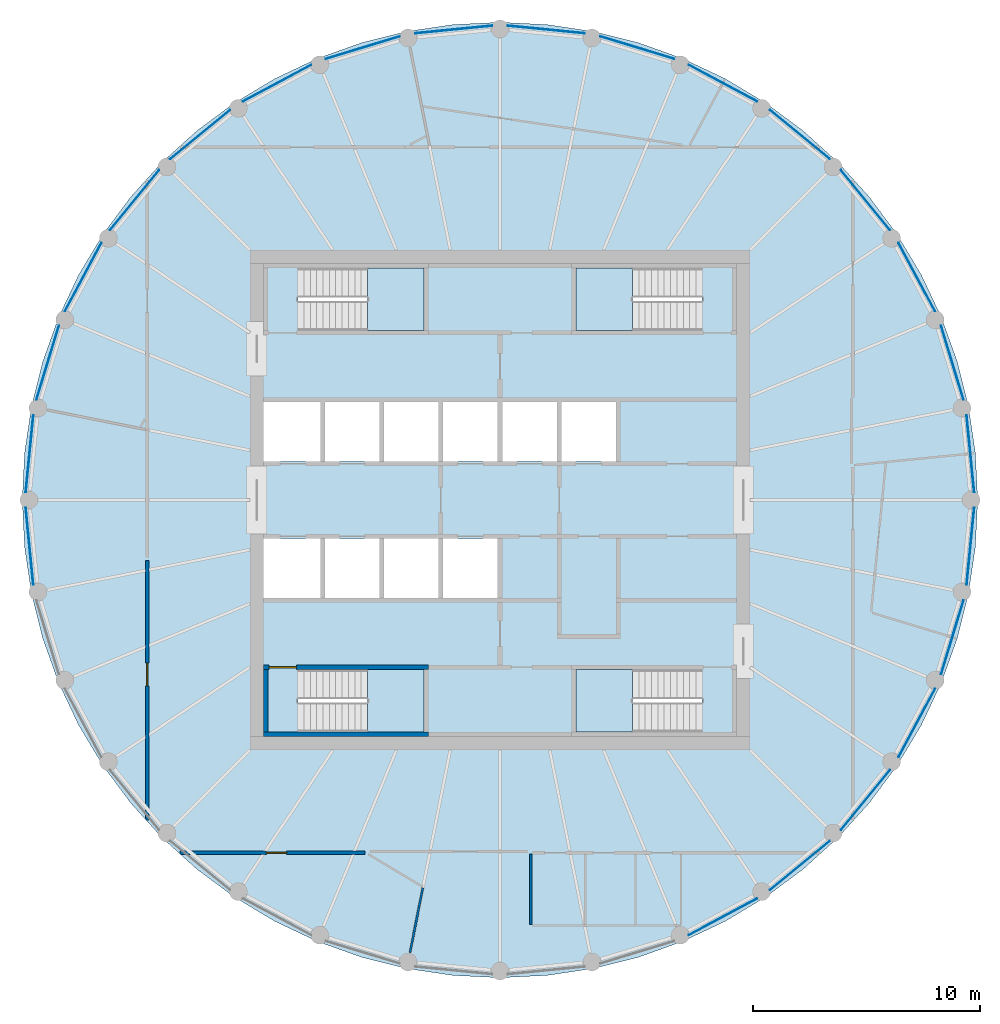
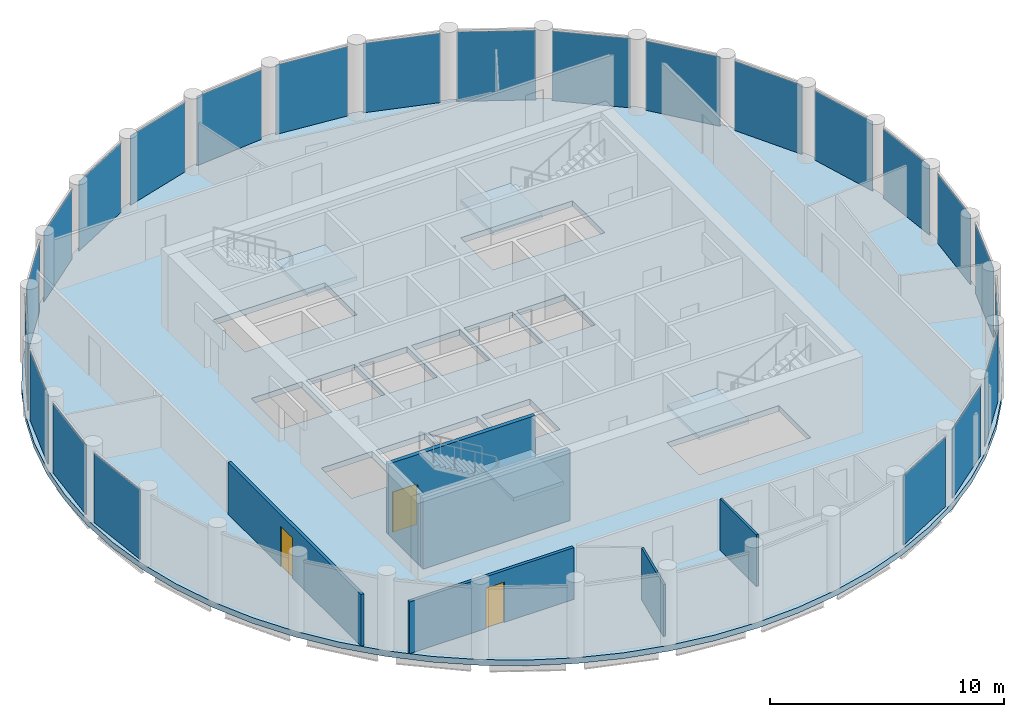
# One storey, part 3 of 7: 23 plates, 7 walls, 5 slabs, 3 doors, 3 openings, 27 elements without a shape of their own.
"""IFC4 building model written with IfcOpenShell, lengths in metres."""

from ifc_helpers import new_model, si_unit, direction, frame, frame_2d, origin, origin_2d, place, context, subcontext, project, spatial, polyline, rectangle, outline, extrude, material, layer, layer_set, type_object, element, fill, aggregate, save


model = new_model("IFC4")

# Units and contexts
model_context = context("Model", 3, precision=1e-05, world=origin(), true_north=direction((0.0, 1.0)))
body_context = subcontext(model_context, "Body", "Model", "MODEL_VIEW")
ifc_project = project(units=[si_unit("LENGTHUNIT", "METRE"), si_unit("AREAUNIT", "SQUARE_METRE"), si_unit("VOLUMEUNIT", "CUBIC_METRE"), si_unit("PLANEANGLEUNIT", "RADIAN"), si_unit("MASSUNIT", "GRAM", prefix="KILO")], contexts=[model_context])

# Site, building, storey
site_placement = place(None, origin())
site = spatial("IfcSite", under=ifc_project, at=site_placement, CompositionType="ELEMENT")
building_placement = place(site_placement, origin())
building = spatial("IfcBuilding", under=site, at=building_placement, Name="Corvane Civic Tower", CompositionType="ELEMENT")
storey_placement = place(building_placement, frame((0.0, 0.0, 332.5)))
storey = spatial("IfcBuildingStorey", under=building, at=storey_placement, Name="L79", CompositionType="ELEMENT", Elevation=332.5)

# Slab
ifc_material_1 = material(Name="Concrete C40/50", Category="concrete")
ifc_layer_1 = layer(ifc_material_1, 0.300048828125)
ifc_layer_set_1 = layer_set([ifc_layer_1], Name="Concrete C40/50")
slab_type_1 = type_object("IfcSlabType", Name="FLOOR SLAB 300", PredefinedType="FLOOR", material=ifc_layer_set_1)
slab_1_placement = place(storey_placement, frame((0.0, 0.0, -0.300048828125)))
element("IfcSlab", 1, at=slab_1_placement, inside=storey, type_object=slab_type_1, Name="SLB-L79", PredefinedType="FLOOR", context=body_context, shape_type="SweptSolid", body=[
    extrude(outline(polyline([(0.0, 21.0), (-2.058349609375, 20.89892578125), (-4.096923828125, 20.596435546875), (-6.095947265625, 20.095703125), (-8.036376953125, 19.4013671875), (-9.8994140625, 18.520263671875), (-11.6669921875, 17.4609375), (-13.322265625, 16.233154296875), (-14.84912109375, 14.84912109375), (-16.233154296875, 13.322265625), (-17.4609375, 11.6669921875), (-18.520263671875, 9.8994140625), (-19.4013671875, 8.036376953125), (-20.095703125, 6.095947265625), (-20.596435546875, 4.096923828125), (-20.89892578125, 2.058349609375), (-21.0, 0.0), (-20.89892578125, -2.058349609375), (-20.596435546875, -4.096923828125), (-20.095703125, -6.095947265625), (-19.4013671875, -8.036376953125), (-18.520263671875, -9.8994140625), (-17.4609375, -11.6669921875), (-16.233154296875, -13.322265625), (-14.84912109375, -14.84912109375), (-13.322265625, -16.233154296875), (-11.6669921875, -17.4609375), (-9.8994140625, -18.520263671875), (-8.036376953125, -19.4013671875), (-6.095947265625, -20.095703125), (-4.096923828125, -20.596435546875), (-2.058349609375, -20.89892578125), (0.0, -21.0), (2.058349609375, -20.89892578125), (4.096923828125, -20.596435546875), (6.095947265625, -20.095703125), (8.036376953125, -19.4013671875), (9.8994140625, -18.520263671875), (11.6669921875, -17.4609375), (13.322265625, -16.233154296875), (14.84912109375, -14.84912109375), (16.233154296875, -13.322265625), (17.4609375, -11.6669921875), (18.520263671875, -9.8994140625), (19.4013671875, -8.036376953125), (20.095703125, -6.095947265625), (20.596435546875, -4.096923828125), (20.89892578125, -2.058349609375), (21.0, 0.0), (20.89892578125, 2.058349609375), (20.596435546875, 4.096923828125), (20.095703125, 6.095947265625), (19.4013671875, 8.036376953125), (18.520263671875, 9.8994140625), (17.4609375, 11.6669921875), (16.233154296875, 13.322265625), (14.84912109375, 14.84912109375), (13.322265625, 16.233154296875), (11.6669921875, 17.4609375), (9.8994140625, 18.520263671875), (8.036376953125, 19.4013671875), (6.095947265625, 20.095703125), (4.096923828125, 20.596435546875), (2.058349609375, 20.89892578125), (0.0, 21.0)]), holes=[polyline([(-10.39990234375, 4.300048828125), (-7.89990234375, 4.300048828125), (-7.89990234375, 1.699951171875), (-10.39990234375, 1.699951171875), (-10.39990234375, 4.300048828125)]), polyline([(-7.699951171875, 4.300048828125), (-5.300048828125, 4.300048828125), (-5.300048828125, 1.699951171875), (-7.699951171875, 1.699951171875), (-7.699951171875, 4.300048828125)]), polyline([(-5.10009765625, 4.300048828125), (-2.699951171875, 4.300048828125), (-2.699951171875, 1.699951171875), (-5.10009765625, 1.699951171875), (-5.10009765625, 4.300048828125)]), polyline([(-2.5, 4.300048828125), (-0.10009765625, 4.300048828125), (-0.10009765625, 1.699951171875), (-2.5, 1.699951171875), (-2.5, 4.300048828125)]), polyline([(0.10009765625, 1.699951171875), (0.10009765625, 4.300048828125), (2.5, 4.300048828125), (2.5, 1.699951171875), (0.10009765625, 1.699951171875)]), polyline([(2.699951171875, 1.699951171875), (2.699951171875, 4.300048828125), (5.10009765625, 4.300048828125), (5.10009765625, 1.699951171875), (2.699951171875, 1.699951171875)]), polyline([(-10.39990234375, -1.699951171875), (-7.89990234375, -1.699951171875), (-7.89990234375, -4.300048828125), (-10.39990234375, -4.300048828125), (-10.39990234375, -1.699951171875)]), polyline([(-7.699951171875, -4.300048828125), (-7.699951171875, -1.699951171875), (-5.300048828125, -1.699951171875), (-5.300048828125, -4.300048828125), (-7.699951171875, -4.300048828125)]), polyline([(-5.10009765625, -4.300048828125), (-5.10009765625, -1.699951171875), (-2.699951171875, -1.699951171875), (-2.699951171875, -4.300048828125), (-5.10009765625, -4.300048828125)]), polyline([(-2.5, -4.300048828125), (-2.5, -1.699951171875), (-0.10009765625, -1.699951171875), (-0.10009765625, -4.300048828125), (-2.5, -4.300048828125)]), polyline([(8.889892578125, 10.199951171875), (8.889892578125, 7.449951171875), (3.35009765625, 7.449951171875), (3.35009765625, 10.199951171875), (8.889892578125, 10.199951171875)]), polyline([(-8.889892578125, 7.449951171875), (-8.889892578125, 10.199951171875), (-3.35009765625, 10.199951171875), (-3.35009765625, 7.449951171875), (-8.889892578125, 7.449951171875)]), polyline([(8.889892578125, -7.449951171875), (8.889892578125, -10.199951171875), (3.35009765625, -10.199951171875), (3.35009765625, -7.449951171875), (8.889892578125, -7.449951171875)]), polyline([(-8.889892578125, -10.199951171875), (-8.889892578125, -7.449951171875), (-3.35009765625, -7.449951171875), (-3.35009765625, -10.199951171875), (-8.889892578125, -10.199951171875)])]), origin(), (0.0, 0.0, 1.0), 0.300048828125),
])

# Stair, slab
ifc_material_2 = material(Name="Concrete C40/50", Category="concrete")
stair_type = type_object("IfcStairType", Name="ST-STAIR-HALFTURN", PredefinedType="HALF_TURN_STAIR", material=ifc_material_2)
stair_1_placement = place(storey_placement, origin())
stair_1 = element("IfcStair", 2, at=stair_1_placement, inside=storey, type_object=stair_type, Name="L79 Exit stair ST1", PredefinedType="HALF_TURN_STAIR")
ifc_material_3 = material(Name="Concrete C40/50", Category="concrete")
ifc_layer_2 = layer(ifc_material_3, 0.199951171875)
ifc_layer_set_2 = layer_set([ifc_layer_2], Name="Concrete C40/50")
slab_type_2 = type_object("IfcSlabType", Name="ST-LANDING-RC", PredefinedType="LANDING", material=ifc_layer_set_2)
slab_2_placement = place(storey_placement, frame((0.0, 0.0, 1.800048828125)))
slab_2 = element("IfcSlab", 3, at=slab_2_placement, type_object=slab_type_2, Name="ST1 landing 1", PredefinedType="LANDING", context=body_context, shape_type="SweptSolid", body=[
    extrude(outline(polyline([(5.820068359375, 10.199951171875), (3.35009765625, 10.199951171875), (3.35009765625, 7.449951171875), (5.820068359375, 7.449951171875), (5.820068359375, 10.199951171875)])), origin(), (0.0, 0.0, 1.0), 0.199951171875),
])
aggregate(stair_1, [slab_2])

stair_2_placement = place(storey_placement, origin())
stair_2 = element("IfcStair", 4, at=stair_2_placement, inside=storey, type_object=stair_type, Name="L79 Exit stair ST2", PredefinedType="HALF_TURN_STAIR")
slab_3_placement = place(storey_placement, frame((0.0, 0.0, 1.800048828125)))
slab_3 = element("IfcSlab", 5, at=slab_3_placement, type_object=slab_type_2, Name="ST2 landing 1", PredefinedType="LANDING", context=body_context, shape_type="SweptSolid", body=[
    extrude(outline(polyline([(5.820068359375, -7.449951171875), (3.35009765625, -7.449951171875), (3.35009765625, -10.199951171875), (5.820068359375, -10.199951171875), (5.820068359375, -7.449951171875)])), origin(), (0.0, 0.0, 1.0), 0.199951171875),
])
aggregate(stair_2, [slab_3])

stair_3_placement = place(storey_placement, origin())
stair_3 = element("IfcStair", 6, at=stair_3_placement, inside=storey, type_object=stair_type, Name="L79 Exit stair ST3", PredefinedType="HALF_TURN_STAIR")
slab_4_placement = place(storey_placement, frame((0.0, 0.0, 1.800048828125)))
slab_4 = element("IfcSlab", 7, at=slab_4_placement, type_object=slab_type_2, Name="ST3 landing 1", PredefinedType="LANDING", context=body_context, shape_type="SweptSolid", body=[
    extrude(outline(polyline([(-5.820068359375, -10.199951171875), (-3.35009765625, -10.199951171875), (-3.35009765625, -7.449951171875), (-5.820068359375, -7.449951171875), (-5.820068359375, -10.199951171875)])), origin(), (0.0, 0.0, 1.0), 0.199951171875),
])
aggregate(stair_3, [slab_4])

stair_4_placement = place(storey_placement, origin())
stair_4 = element("IfcStair", 8, at=stair_4_placement, inside=storey, type_object=stair_type, Name="L79 Exit stair ST4", PredefinedType="HALF_TURN_STAIR")
slab_5_placement = place(storey_placement, frame((0.0, 0.0, 1.800048828125)))
slab_5 = element("IfcSlab", 9, at=slab_5_placement, type_object=slab_type_2, Name="ST4 landing 1", PredefinedType="LANDING", context=body_context, shape_type="SweptSolid", body=[
    extrude(outline(polyline([(-5.820068359375, 7.449951171875), (-3.35009765625, 7.449951171875), (-3.35009765625, 10.199951171875), (-5.820068359375, 10.199951171875), (-5.820068359375, 7.449951171875)])), origin(), (0.0, 0.0, 1.0), 0.199951171875),
])
aggregate(stair_4, [slab_5])

# Curtain wall, plate
ifc_material_4 = material(Name="Anodised aluminium bronze", Category="aluminium")
curtain_wall_type = type_object("IfcCurtainWallType", Name="TOWER CW-T3 STICK CURTAIN WALL", PredefinedType="NOTDEFINED", material=ifc_material_4)
curtain_wall_1_placement = place(storey_placement, origin())
curtain_wall_1 = element("IfcCurtainWall", 10, at=curtain_wall_1_placement, inside=storey, type_object=curtain_wall_type, Name="Curtain wall CW-T3 L79 bay 01", PredefinedType="NOTDEFINED")
ifc_material_5 = material(Name="Tinted glass", Category="glass")
ifc_layer_3 = layer(ifc_material_5, 0.028076171875)
ifc_layer_set_3 = layer_set([ifc_layer_3], Name="Tinted glass")
plate_type = type_object("IfcPlateType", Name="TOWER CW-T3 PANEL IGU28", PredefinedType="CURTAIN_PANEL", material=ifc_layer_set_3)
plate_1_placement = place(storey_placement, frame((2.03662109375, 20.679443359375, 0.0), z_axis=(0.0, 0.0, 1.0), x_axis=(0.995186641028, -0.097997701601, 0.0)))
plate_1 = element("IfcPlate", 11, at=plate_1_placement, type_object=plate_type, Name="Glass panel CW-T3 L79 01.1", PredefinedType="CURTAIN_PANEL", context=body_context, shape_type="SweptSolid", body=[
    extrude(rectangle(XDim=3.402587890625, YDim=0.028076171875, at=origin_2d()), origin(), (0.0, 0.0, 1.0), 3.6298828125),
])
aggregate(curtain_wall_1, [plate_1])

curtain_wall_2_placement = place(storey_placement, origin())
curtain_wall_2 = element("IfcCurtainWall", 12, at=curtain_wall_2_placement, inside=storey, type_object=curtain_wall_type, Name="Curtain wall CW-T3 L79 bay 02", PredefinedType="NOTDEFINED")
plate_2_placement = place(storey_placement, frame((6.031982421875, 19.884765625, 0.0), z_axis=(0.0, 0.0, 1.0), x_axis=(0.956938582641, -0.290290456359, 0.0)))
plate_2 = element("IfcPlate", 13, at=plate_2_placement, type_object=plate_type, Name="Glass panel CW-T3 L79 02.1", PredefinedType="CURTAIN_PANEL", context=body_context, shape_type="SweptSolid", body=[
    extrude(rectangle(XDim=3.40283203125, YDim=0.028076171875, at=origin_2d()), origin(), (0.0, 0.0, 1.0), 3.6298828125),
])
aggregate(curtain_wall_2, [plate_2])

curtain_wall_3_placement = place(storey_placement, origin())
curtain_wall_3 = element("IfcCurtainWall", 14, at=curtain_wall_3_placement, inside=storey, type_object=curtain_wall_type, Name="Curtain wall CW-T3 L79 bay 03", PredefinedType="NOTDEFINED")
plate_3_placement = place(storey_placement, frame((9.79541015625, 18.325927734375, 0.0), z_axis=(0.0, 0.0, 1.0), x_axis=(0.88192824848, -0.471383670202, 0.0)))
plate_3 = element("IfcPlate", 15, at=plate_3_placement, type_object=plate_type, Name="Glass panel CW-T3 L79 03.1", PredefinedType="CURTAIN_PANEL", context=body_context, shape_type="SweptSolid", body=[
    extrude(rectangle(XDim=3.40234375, YDim=0.028076171875, at=origin_2d()), origin(), (0.0, 0.0, 1.0), 3.6298828125),
])
aggregate(curtain_wall_3, [plate_3])

curtain_wall_4_placement = place(storey_placement, origin())
curtain_wall_4 = element("IfcCurtainWall", 16, at=curtain_wall_4_placement, inside=storey, type_object=curtain_wall_type, Name="Curtain wall CW-T3 L79 bay 04", PredefinedType="NOTDEFINED")
plate_4_placement = place(storey_placement, frame((13.182373046875, 16.062744140625, 0.0), z_axis=(0.0, 0.0, 1.0), x_axis=(0.773010369391, -0.634393386484, 0.0)))
plate_4 = element("IfcPlate", 17, at=plate_4_placement, type_object=plate_type, Name="Glass panel CW-T3 L79 04.1", PredefinedType="CURTAIN_PANEL", context=body_context, shape_type="SweptSolid", body=[
    extrude(rectangle(XDim=3.402587890625, YDim=0.028076171875, at=origin_2d()), origin(), (0.0, 0.0, 1.0), 3.6298828125),
])
aggregate(curtain_wall_4, [plate_4])

curtain_wall_5_placement = place(storey_placement, origin())
curtain_wall_5 = element("IfcCurtainWall", 18, at=curtain_wall_5_placement, inside=storey, type_object=curtain_wall_type, Name="Curtain wall CW-T3 L79 bay 05", PredefinedType="NOTDEFINED")
plate_5_placement = place(storey_placement, frame((16.062744140625, 13.182373046875, 0.0), z_axis=(0.0, 0.0, 1.0), x_axis=(0.634393386484, -0.773010369391, 0.0)))
plate_5 = element("IfcPlate", 19, at=plate_5_placement, type_object=plate_type, Name="Glass panel CW-T3 L79 05.1", PredefinedType="CURTAIN_PANEL", context=body_context, shape_type="SweptSolid", body=[
    extrude(rectangle(XDim=3.402587890625, YDim=0.028076171875, at=origin_2d()), origin(), (0.0, 0.0, 1.0), 3.6298828125),
])
aggregate(curtain_wall_5, [plate_5])

curtain_wall_6_placement = place(storey_placement, origin())
curtain_wall_6 = element("IfcCurtainWall", 20, at=curtain_wall_6_placement, inside=storey, type_object=curtain_wall_type, Name="Curtain wall CW-T3 L79 bay 06", PredefinedType="NOTDEFINED")
plate_6_placement = place(storey_placement, frame((18.325927734375, 9.79541015625, 0.0), z_axis=(0.0, 0.0, 1.0), x_axis=(0.471383670202, -0.88192824848, 0.0)))
plate_6 = element("IfcPlate", 21, at=plate_6_placement, type_object=plate_type, Name="Glass panel CW-T3 L79 06.1", PredefinedType="CURTAIN_PANEL", context=body_context, shape_type="SweptSolid", body=[
    extrude(rectangle(XDim=3.40234375, YDim=0.028076171875, at=origin_2d()), origin(), (0.0, 0.0, 1.0), 3.6298828125),
])
aggregate(curtain_wall_6, [plate_6])

curtain_wall_7_placement = place(storey_placement, origin())
curtain_wall_7 = element("IfcCurtainWall", 22, at=curtain_wall_7_placement, inside=storey, type_object=curtain_wall_type, Name="Curtain wall CW-T3 L79 bay 07", PredefinedType="NOTDEFINED")
plate_7_placement = place(storey_placement, frame((19.884765625, 6.031982421875, 0.0), z_axis=(0.0, 0.0, 1.0), x_axis=(0.290290456359, -0.956938582641, 0.0)))
plate_7 = element("IfcPlate", 23, at=plate_7_placement, type_object=plate_type, Name="Glass panel CW-T3 L79 07.1", PredefinedType="CURTAIN_PANEL", context=body_context, shape_type="SweptSolid", body=[
    extrude(rectangle(XDim=3.40283203125, YDim=0.028076171875, at=origin_2d()), origin(), (0.0, 0.0, 1.0), 3.6298828125),
])
aggregate(curtain_wall_7, [plate_7])

curtain_wall_8_placement = place(storey_placement, origin())
curtain_wall_8 = element("IfcCurtainWall", 24, at=curtain_wall_8_placement, inside=storey, type_object=curtain_wall_type, Name="Curtain wall CW-T3 L79 bay 08", PredefinedType="NOTDEFINED")
plate_8_placement = place(storey_placement, frame((20.679443359375, 2.03662109375, 0.0), z_axis=(0.0, 0.0, 1.0), x_axis=(0.097997701601, -0.995186641028, 0.0)))
plate_8 = element("IfcPlate", 25, at=plate_8_placement, type_object=plate_type, Name="Glass panel CW-T3 L79 08.1", PredefinedType="CURTAIN_PANEL", context=body_context, shape_type="SweptSolid", body=[
    extrude(rectangle(XDim=3.402587890625, YDim=0.028076171875, at=origin_2d()), origin(), (0.0, 0.0, 1.0), 3.6298828125),
])
aggregate(curtain_wall_8, [plate_8])

curtain_wall_9_placement = place(storey_placement, origin())
curtain_wall_9 = element("IfcCurtainWall", 26, at=curtain_wall_9_placement, inside=storey, type_object=curtain_wall_type, Name="Curtain wall CW-T3 L79 bay 09", PredefinedType="NOTDEFINED")
plate_9_placement = place(storey_placement, frame((20.679443359375, -2.03662109375, 0.0), z_axis=(0.0, 0.0, 1.0), x_axis=(-0.097997701601, -0.995186641028, 0.0)))
plate_9 = element("IfcPlate", 27, at=plate_9_placement, type_object=plate_type, Name="Glass panel CW-T3 L79 09.1", PredefinedType="CURTAIN_PANEL", context=body_context, shape_type="SweptSolid", body=[
    extrude(rectangle(XDim=3.402587890625, YDim=0.028076171875, at=origin_2d()), origin(), (0.0, 0.0, 1.0), 3.6298828125),
])
aggregate(curtain_wall_9, [plate_9])

curtain_wall_10_placement = place(storey_placement, origin())
curtain_wall_10 = element("IfcCurtainWall", 28, at=curtain_wall_10_placement, inside=storey, type_object=curtain_wall_type, Name="Curtain wall CW-T3 L79 bay 10", PredefinedType="NOTDEFINED")
plate_10_placement = place(storey_placement, frame((19.884765625, -6.031982421875, 0.0), z_axis=(0.0, 0.0, 1.0), x_axis=(-0.290290456359, -0.956938582641, 0.0)))
plate_10 = element("IfcPlate", 29, at=plate_10_placement, type_object=plate_type, Name="Glass panel CW-T3 L79 10.1", PredefinedType="CURTAIN_PANEL", context=body_context, shape_type="SweptSolid", body=[
    extrude(rectangle(XDim=3.40283203125, YDim=0.028076171875, at=origin_2d()), origin(), (0.0, 0.0, 1.0), 3.6298828125),
])
aggregate(curtain_wall_10, [plate_10])

curtain_wall_11_placement = place(storey_placement, origin())
curtain_wall_11 = element("IfcCurtainWall", 30, at=curtain_wall_11_placement, inside=storey, type_object=curtain_wall_type, Name="Curtain wall CW-T3 L79 bay 11", PredefinedType="NOTDEFINED")
plate_11_placement = place(storey_placement, frame((18.325927734375, -9.79541015625, 0.0), z_axis=(0.0, 0.0, 1.0), x_axis=(-0.471383670202, -0.88192824848, 0.0)))
plate_11 = element("IfcPlate", 31, at=plate_11_placement, type_object=plate_type, Name="Glass panel CW-T3 L79 11.1", PredefinedType="CURTAIN_PANEL", context=body_context, shape_type="SweptSolid", body=[
    extrude(rectangle(XDim=3.40234375, YDim=0.028076171875, at=origin_2d()), origin(), (0.0, 0.0, 1.0), 3.6298828125),
])
aggregate(curtain_wall_11, [plate_11])

curtain_wall_12_placement = place(storey_placement, origin())
curtain_wall_12 = element("IfcCurtainWall", 32, at=curtain_wall_12_placement, inside=storey, type_object=curtain_wall_type, Name="Curtain wall CW-T3 L79 bay 12", PredefinedType="NOTDEFINED")
plate_12_placement = place(storey_placement, frame((16.062744140625, -13.182373046875, 0.0), z_axis=(0.0, 0.0, 1.0), x_axis=(-0.634393386484, -0.773010369391, 0.0)))
plate_12 = element("IfcPlate", 33, at=plate_12_placement, type_object=plate_type, Name="Glass panel CW-T3 L79 12.1", PredefinedType="CURTAIN_PANEL", context=body_context, shape_type="SweptSolid", body=[
    extrude(rectangle(XDim=3.402587890625, YDim=0.028076171875, at=origin_2d()), origin(), (0.0, 0.0, 1.0), 3.6298828125),
])
aggregate(curtain_wall_12, [plate_12])

curtain_wall_13_placement = place(storey_placement, origin())
curtain_wall_13 = element("IfcCurtainWall", 34, at=curtain_wall_13_placement, inside=storey, type_object=curtain_wall_type, Name="Curtain wall CW-T3 L79 bay 13", PredefinedType="NOTDEFINED")
plate_13_placement = place(storey_placement, frame((13.182373046875, -16.062744140625, 0.0), z_axis=(0.0, 0.0, 1.0), x_axis=(-0.773010369391, -0.634393386484, 0.0)))
plate_13 = element("IfcPlate", 35, at=plate_13_placement, type_object=plate_type, Name="Glass panel CW-T3 L79 13.1", PredefinedType="CURTAIN_PANEL", context=body_context, shape_type="SweptSolid", body=[
    extrude(rectangle(XDim=3.402587890625, YDim=0.028076171875, at=origin_2d()), origin(), (0.0, 0.0, 1.0), 3.6298828125),
])
aggregate(curtain_wall_13, [plate_13])

curtain_wall_14_placement = place(storey_placement, origin())
curtain_wall_14 = element("IfcCurtainWall", 36, at=curtain_wall_14_placement, inside=storey, type_object=curtain_wall_type, Name="Curtain wall CW-T3 L79 bay 14", PredefinedType="NOTDEFINED")
plate_14_placement = place(storey_placement, frame((9.79541015625, -18.325927734375, 0.0), z_axis=(0.0, 0.0, 1.0), x_axis=(-0.88192824848, -0.471383670202, 0.0)))
plate_14 = element("IfcPlate", 37, at=plate_14_placement, type_object=plate_type, Name="Glass panel CW-T3 L79 14.1", PredefinedType="CURTAIN_PANEL", context=body_context, shape_type="SweptSolid", body=[
    extrude(rectangle(XDim=3.40234375, YDim=0.028076171875, at=origin_2d()), origin(), (0.0, 0.0, 1.0), 3.6298828125),
])
aggregate(curtain_wall_14, [plate_14])

curtain_wall_15_placement = place(storey_placement, origin())
curtain_wall_15 = element("IfcCurtainWall", 38, at=curtain_wall_15_placement, inside=storey, type_object=curtain_wall_type, Name="Curtain wall CW-T3 L79 bay 24", PredefinedType="NOTDEFINED")
plate_15_placement = place(storey_placement, frame((-20.679443359375, -2.03662109375, 0.0), z_axis=(0.0, 0.0, 1.0), x_axis=(-0.097997701601, 0.995186641028, 0.0)))
plate_15 = element("IfcPlate", 39, at=plate_15_placement, type_object=plate_type, Name="Glass panel CW-T3 L79 24.1", PredefinedType="CURTAIN_PANEL", context=body_context, shape_type="SweptSolid", body=[
    extrude(rectangle(XDim=3.402587890625, YDim=0.028076171875, at=origin_2d()), origin(), (0.0, 0.0, 1.0), 3.6298828125),
])
aggregate(curtain_wall_15, [plate_15])

curtain_wall_16_placement = place(storey_placement, origin())
curtain_wall_16 = element("IfcCurtainWall", 40, at=curtain_wall_16_placement, inside=storey, type_object=curtain_wall_type, Name="Curtain wall CW-T3 L79 bay 25", PredefinedType="NOTDEFINED")
plate_16_placement = place(storey_placement, frame((-20.679443359375, 2.03662109375, 0.0), z_axis=(0.0, 0.0, 1.0), x_axis=(0.097997701601, 0.995186641028, 0.0)))
plate_16 = element("IfcPlate", 41, at=plate_16_placement, type_object=plate_type, Name="Glass panel CW-T3 L79 25.1", PredefinedType="CURTAIN_PANEL", context=body_context, shape_type="SweptSolid", body=[
    extrude(rectangle(XDim=3.402587890625, YDim=0.028076171875, at=origin_2d()), origin(), (0.0, 0.0, 1.0), 3.6298828125),
])
aggregate(curtain_wall_16, [plate_16])

curtain_wall_17_placement = place(storey_placement, origin())
curtain_wall_17 = element("IfcCurtainWall", 42, at=curtain_wall_17_placement, inside=storey, type_object=curtain_wall_type, Name="Curtain wall CW-T3 L79 bay 26", PredefinedType="NOTDEFINED")
plate_17_placement = place(storey_placement, frame((-19.884765625, 6.031982421875, 0.0), z_axis=(0.0, 0.0, 1.0), x_axis=(0.290290456359, 0.956938582641, 0.0)))
plate_17 = element("IfcPlate", 43, at=plate_17_placement, type_object=plate_type, Name="Glass panel CW-T3 L79 26.1", PredefinedType="CURTAIN_PANEL", context=body_context, shape_type="SweptSolid", body=[
    extrude(rectangle(XDim=3.40283203125, YDim=0.028076171875, at=origin_2d()), origin(), (0.0, 0.0, 1.0), 3.6298828125),
])
aggregate(curtain_wall_17, [plate_17])

curtain_wall_18_placement = place(storey_placement, origin())
curtain_wall_18 = element("IfcCurtainWall", 44, at=curtain_wall_18_placement, inside=storey, type_object=curtain_wall_type, Name="Curtain wall CW-T3 L79 bay 27", PredefinedType="NOTDEFINED")
plate_18_placement = place(storey_placement, frame((-18.325927734375, 9.79541015625, 0.0), z_axis=(0.0, 0.0, 1.0), x_axis=(0.471383670202, 0.88192824848, 0.0)))
plate_18 = element("IfcPlate", 45, at=plate_18_placement, type_object=plate_type, Name="Glass panel CW-T3 L79 27.1", PredefinedType="CURTAIN_PANEL", context=body_context, shape_type="SweptSolid", body=[
    extrude(rectangle(XDim=3.40234375, YDim=0.028076171875, at=origin_2d()), origin(), (0.0, 0.0, 1.0), 3.6298828125),
])
aggregate(curtain_wall_18, [plate_18])

curtain_wall_19_placement = place(storey_placement, origin())
curtain_wall_19 = element("IfcCurtainWall", 46, at=curtain_wall_19_placement, inside=storey, type_object=curtain_wall_type, Name="Curtain wall CW-T3 L79 bay 28", PredefinedType="NOTDEFINED")
plate_19_placement = place(storey_placement, frame((-16.062744140625, 13.182373046875, 0.0), z_axis=(0.0, 0.0, 1.0), x_axis=(0.634393386484, 0.773010369391, 0.0)))
plate_19 = element("IfcPlate", 47, at=plate_19_placement, type_object=plate_type, Name="Glass panel CW-T3 L79 28.1", PredefinedType="CURTAIN_PANEL", context=body_context, shape_type="SweptSolid", body=[
    extrude(rectangle(XDim=3.402587890625, YDim=0.028076171875, at=origin_2d()), origin(), (0.0, 0.0, 1.0), 3.6298828125),
])
aggregate(curtain_wall_19, [plate_19])

curtain_wall_20_placement = place(storey_placement, origin())
curtain_wall_20 = element("IfcCurtainWall", 48, at=curtain_wall_20_placement, inside=storey, type_object=curtain_wall_type, Name="Curtain wall CW-T3 L79 bay 29", PredefinedType="NOTDEFINED")
plate_20_placement = place(storey_placement, frame((-13.182373046875, 16.062744140625, 0.0), z_axis=(0.0, 0.0, 1.0), x_axis=(0.773010369391, 0.634393386484, 0.0)))
plate_20 = element("IfcPlate", 49, at=plate_20_placement, type_object=plate_type, Name="Glass panel CW-T3 L79 29.1", PredefinedType="CURTAIN_PANEL", context=body_context, shape_type="SweptSolid", body=[
    extrude(rectangle(XDim=3.402587890625, YDim=0.028076171875, at=origin_2d()), origin(), (0.0, 0.0, 1.0), 3.6298828125),
])
aggregate(curtain_wall_20, [plate_20])

curtain_wall_21_placement = place(storey_placement, origin())
curtain_wall_21 = element("IfcCurtainWall", 50, at=curtain_wall_21_placement, inside=storey, type_object=curtain_wall_type, Name="Curtain wall CW-T3 L79 bay 30", PredefinedType="NOTDEFINED")
plate_21_placement = place(storey_placement, frame((-9.79541015625, 18.325927734375, 0.0), z_axis=(0.0, 0.0, 1.0), x_axis=(0.88192824848, 0.471383670202, 0.0)))
plate_21 = element("IfcPlate", 51, at=plate_21_placement, type_object=plate_type, Name="Glass panel CW-T3 L79 30.1", PredefinedType="CURTAIN_PANEL", context=body_context, shape_type="SweptSolid", body=[
    extrude(rectangle(XDim=3.40234375, YDim=0.028076171875, at=origin_2d()), origin(), (0.0, 0.0, 1.0), 3.6298828125),
])
aggregate(curtain_wall_21, [plate_21])

curtain_wall_22_placement = place(storey_placement, origin())
curtain_wall_22 = element("IfcCurtainWall", 52, at=curtain_wall_22_placement, inside=storey, type_object=curtain_wall_type, Name="Curtain wall CW-T3 L79 bay 31", PredefinedType="NOTDEFINED")
plate_22_placement = place(storey_placement, frame((-6.031982421875, 19.884765625, 0.0), z_axis=(0.0, 0.0, 1.0), x_axis=(0.956938582641, 0.290290456359, 0.0)))
plate_22 = element("IfcPlate", 53, at=plate_22_placement, type_object=plate_type, Name="Glass panel CW-T3 L79 31.1", PredefinedType="CURTAIN_PANEL", context=body_context, shape_type="SweptSolid", body=[
    extrude(rectangle(XDim=3.40283203125, YDim=0.028076171875, at=origin_2d()), origin(), (0.0, 0.0, 1.0), 3.6298828125),
])
aggregate(curtain_wall_22, [plate_22])

curtain_wall_23_placement = place(storey_placement, origin())
curtain_wall_23 = element("IfcCurtainWall", 54, at=curtain_wall_23_placement, inside=storey, type_object=curtain_wall_type, Name="Curtain wall CW-T3 L79 bay 32", PredefinedType="NOTDEFINED")
plate_23_placement = place(storey_placement, frame((-2.03662109375, 20.679443359375, 0.0), z_axis=(0.0, 0.0, 1.0), x_axis=(0.995186641028, 0.097997701601, 0.0)))
plate_23 = element("IfcPlate", 55, at=plate_23_placement, type_object=plate_type, Name="Glass panel CW-T3 L79 32.1", PredefinedType="CURTAIN_PANEL", context=body_context, shape_type="SweptSolid", body=[
    extrude(rectangle(XDim=3.402587890625, YDim=0.028076171875, at=origin_2d()), origin(), (0.0, 0.0, 1.0), 3.6298828125),
])
aggregate(curtain_wall_23, [plate_23])

# Walls
ifc_material_6 = material(Name="Plasterboard")
ifc_layer_4 = layer(ifc_material_6, 0.10009765625)
ifc_layer_set_4 = layer_set([ifc_layer_4], Name="Plasterboard")
wall_type_1 = type_object("IfcWallType", Name="Partition 100 plasterboard on studs", PredefinedType="PARTITIONING", material=ifc_layer_set_4)
wall_1_placement = place(storey_placement, frame((-3.95849609375, -19.900146484375, 0.0), z_axis=(0.0, 0.0, 1.0), x_axis=(0.195131501829, 0.980777088331, 0.0)))
element("IfcWall", 56, at=wall_1_placement, inside=storey, type_object=wall_type_1, Name="Partition L79.001", PredefinedType="PARTITIONING", context=body_context, shape_type="SweptSolid", body=[
    extrude(rectangle(XDim=2.908935546875, YDim=0.10009765625, at=frame_2d((1.45458984375, 0.0))), origin(), (0.0, 0.0, 1.0), 2.699951171875),
])
wall_2_placement = place(storey_placement, frame((1.353271484375, -18.64990234375, 0.0), z_axis=(0.0, 0.0, 1.0), x_axis=(0.0, 1.0, 0.0)))
element("IfcWall", 57, at=wall_2_placement, inside=storey, type_object=wall_type_1, Name="Partition L79.004", PredefinedType="PARTITIONING", context=body_context, shape_type="SweptSolid", body=[
    extrude(rectangle(XDim=3.099853515625, YDim=0.10009765625, at=frame_2d((1.5498046875, 0.0))), origin(), (0.0, 0.0, 1.0), 2.699951171875),
])

# Wall, opening, door
ifc_material_7 = material(Name="Concrete C50/60", Category="concrete")
ifc_layer_5 = layer(ifc_material_7, 0.199951171875)
ifc_layer_set_5 = layer_set([ifc_layer_5], Name="Concrete C50/60")
wall_type_2 = type_object("IfcWallType", Name="ST-WALL-200", PredefinedType="SHEAR", material=ifc_layer_set_5)
wall_3_placement = place(storey_placement, frame((-10.39990234375, -7.35009765625, 0.0), z_axis=(0.0, 0.0, 1.0), x_axis=(1.0, 0.0, 0.0)))
wall_3 = element("IfcWall", 58, at=wall_3_placement, inside=storey, type_object=wall_type_2, Name="L79 stair enclosure wall", PredefinedType="SHEAR", context=body_context, shape_type="SweptSolid", body=[
    extrude(rectangle(XDim=7.25, YDim=0.199951171875, at=frame_2d((3.625, 0.0))), origin(), (0.0, 0.0, 1.0), 3.699951171875),
])
opening_1_placement = place(wall_3_placement, frame((0.25, 0.0, 0.0)))
opening_1 = element("IfcOpeningElement", 59, at=opening_1_placement, cuts=wall_3, Name="Opening L79.C10", PredefinedType="OPENING", context=body_context, shape_type="SweptSolid", body=[
    extrude(rectangle(XDim=1.199951171875, YDim=2.10009765625, at=frame_2d((0.60009765625, 1.050048828125))), frame((0.0, 0.10986328125, 0.0), z_axis=(0.0, -1.0, 0.0), x_axis=(1.0, 0.0, 0.0)), (0.0, 0.0, 1.0), 0.219970703125),
])
ifc_material_8 = material(Name="Steel fire door leaf", Category="steel")
door_type_1 = type_object("IfcDoorType", Name="ST-DOOR-1200", OperationType="SINGLE_SWING_RIGHT", PredefinedType="DOOR", material=ifc_material_8)
door_1_placement = place(opening_1_placement, origin())
door_1 = element("IfcDoor", 60, at=door_1_placement, inside=storey, type_object=door_type_1, Name="L79 stair door", OperationType="SINGLE_SWING_RIGHT", OverallHeight=2.10009765625, OverallWidth=1.199951171875, PredefinedType="DOOR", context=body_context, shape_type="SweptSolid", body=[
    extrude(rectangle(XDim=1.199951171875, YDim=2.10009765625, at=frame_2d((0.60009765625, 1.050048828125))), frame((0.0, 0.02490234375, 0.0), z_axis=(0.0, -1.0, 0.0), x_axis=(1.0, 0.0, 0.0)), (0.0, 0.0, 1.0), 0.050048828125),
])
fill(opening_1, door_1)

# Walls
wall_4_placement = place(storey_placement, origin())
element("IfcWall", 61, at=wall_4_placement, inside=storey, type_object=wall_type_2, Name="L79 stair enclosure wall", PredefinedType="SHEAR", context=body_context, shape_type="SweptSolid", body=[
    extrude(outline(polyline([(-3.14990234375, -10.199951171875), (-3.14990234375, -10.39990234375), (-10.39990234375, -10.39990234375), (-10.39990234375, -10.199951171875), (-3.14990234375, -10.199951171875)])), origin(), (0.0, 0.0, 1.0), 3.699951171875),
])
wall_5_placement = place(storey_placement, origin())
element("IfcWall", 62, at=wall_5_placement, inside=storey, type_object=wall_type_2, Name="L79 stair enclosure wall", PredefinedType="SHEAR", context=body_context, shape_type="SweptSolid", body=[
    extrude(outline(polyline([(-10.199951171875, -7.449951171875), (-10.199951171875, -10.199951171875), (-10.39990234375, -10.199951171875), (-10.39990234375, -7.449951171875), (-10.199951171875, -7.449951171875)])), origin(), (0.0, 0.0, 1.0), 3.699951171875),
])

# Wall, opening, door
ifc_material_9 = material(Name="Plasterboard")
ifc_layer_6 = layer(ifc_material_9, 0.14990234375)
ifc_layer_set_6 = layer_set([ifc_layer_6], Name="Plasterboard")
wall_type_3 = type_object("IfcWallType", Name="Tenancy wall 150 EI 60", PredefinedType="PARTITIONING", material=ifc_layer_set_6)
wall_6_placement = place(storey_placement, frame((-14.05712890625, -15.5, 0.0), z_axis=(0.0, 0.0, 1.0), x_axis=(1.0, 0.0, 0.0)))
wall_6 = element("IfcWall", 63, at=wall_6_placement, inside=storey, type_object=wall_type_3, Name="Partition L79.008", PredefinedType="PARTITIONING", context=body_context, shape_type="SweptSolid", body=[
    extrude(rectangle(XDim=8.128662109375, YDim=0.14990234375, at=frame_2d((4.064453125, 0.0))), origin(), (0.0, 0.0, 1.0), 2.699951171875),
])
opening_2_placement = place(wall_6_placement, frame((3.783447265625, 0.0, 0.0)))
opening_2 = element("IfcOpeningElement", 64, at=opening_2_placement, cuts=wall_6, Name="Opening L79.001", PredefinedType="OPENING", context=body_context, shape_type="SweptSolid", body=[
    extrude(rectangle(XDim=0.89990234375, YDim=2.10009765625, at=frame_2d((0.449951171875, 1.050048828125))), frame((0.0, 0.0849609375, 0.0), z_axis=(0.0, -1.0, 0.0), x_axis=(1.0, 0.0, 0.0)), (0.0, 0.0, 1.0), 0.169921875),
])
ifc_material_10 = material(Name="Steel and timber", Category="steel")
door_type_2 = type_object("IfcDoorType", Name="Fire door FD30S 900", OperationType="NOTDEFINED", PredefinedType="DOOR", material=ifc_material_10)
door_2_placement = place(opening_2_placement, frame((0.89990234375, 0.0, 0.0), z_axis=(0.0, 0.0, 1.0), x_axis=(-1.0, 0.0, 0.0)))
door_2 = element("IfcDoor", 65, at=door_2_placement, inside=storey, type_object=door_type_2, Name="Door L79.001", OperationType="SINGLE_SWING_RIGHT", OverallHeight=2.10009765625, OverallWidth=0.89990234375, PredefinedType="DOOR", context=body_context, shape_type="SweptSolid", body=[
    extrude(rectangle(XDim=0.89990234375, YDim=2.10009765625, at=frame_2d((0.449951171875, 1.050048828125))), frame((0.0, 0.02490234375, 0.0), z_axis=(0.0, -1.0, 0.0), x_axis=(1.0, 0.0, 0.0)), (0.0, 0.0, 1.0), 0.050048828125),
])
fill(opening_2, door_2)

wall_7_placement = place(storey_placement, frame((-15.5, -14.05712890625, 0.0), z_axis=(0.0, 0.0, 1.0), x_axis=(0.0, 1.0, 0.0)))
wall_7 = element("IfcWall", 66, at=wall_7_placement, inside=storey, type_object=wall_type_3, Name="Partition L79.011", PredefinedType="PARTITIONING", context=body_context, shape_type="SweptSolid", body=[
    extrude(rectangle(XDim=11.402587890625, YDim=0.14990234375, at=frame_2d((5.701171875, 0.0))), origin(), (0.0, 0.0, 1.0), 2.699951171875),
])
opening_3_placement = place(wall_7_placement, frame((5.883544921875, 0.0, 0.0)))
opening_3 = element("IfcOpeningElement", 67, at=opening_3_placement, cuts=wall_7, Name="Opening L79.002", PredefinedType="OPENING", context=body_context, shape_type="SweptSolid", body=[
    extrude(rectangle(XDim=1.0, YDim=2.10009765625, at=frame_2d((0.5, 1.050048828125))), frame((0.0, 0.0849609375, 0.0), z_axis=(0.0, -1.0, 0.0), x_axis=(1.0, 0.0, 0.0)), (0.0, 0.0, 1.0), 0.169921875),
])
ifc_material_11 = material(Name="Steel and timber", Category="steel")
door_type_3 = type_object("IfcDoorType", Name="Fire door FD30S 1000", OperationType="NOTDEFINED", PredefinedType="DOOR", material=ifc_material_11)
door_3_placement = place(opening_3_placement, origin())
door_3 = element("IfcDoor", 68, at=door_3_placement, inside=storey, type_object=door_type_3, Name="Door L79.002", OperationType="SINGLE_SWING_LEFT", OverallHeight=2.10009765625, OverallWidth=1.0, PredefinedType="DOOR", context=body_context, shape_type="SweptSolid", body=[
    extrude(rectangle(XDim=1.0, YDim=2.10009765625, at=frame_2d((0.5, 1.050048828125))), frame((0.0, 0.02490234375, 0.0), z_axis=(0.0, -1.0, 0.0), x_axis=(1.0, 0.0, 0.0)), (0.0, 0.0, 1.0), 0.050048828125),
])
fill(opening_3, door_3)

save(model, "model.ifc")
